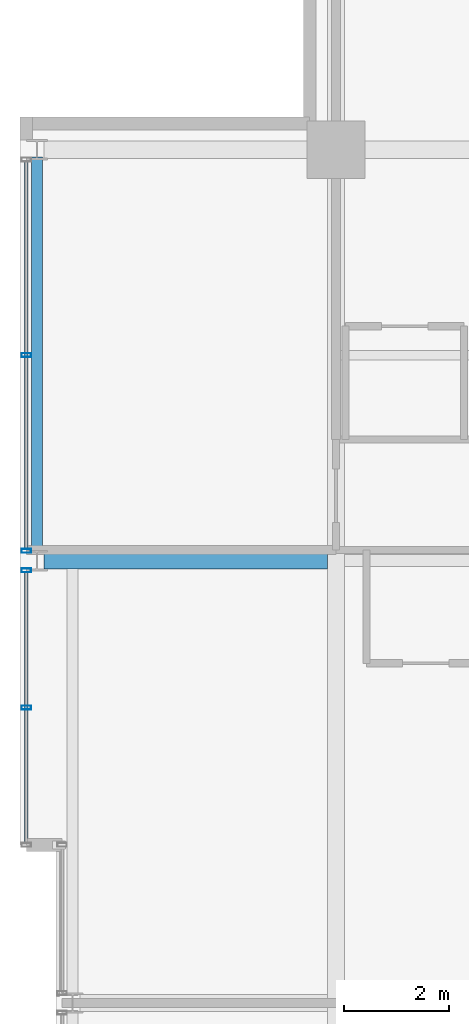
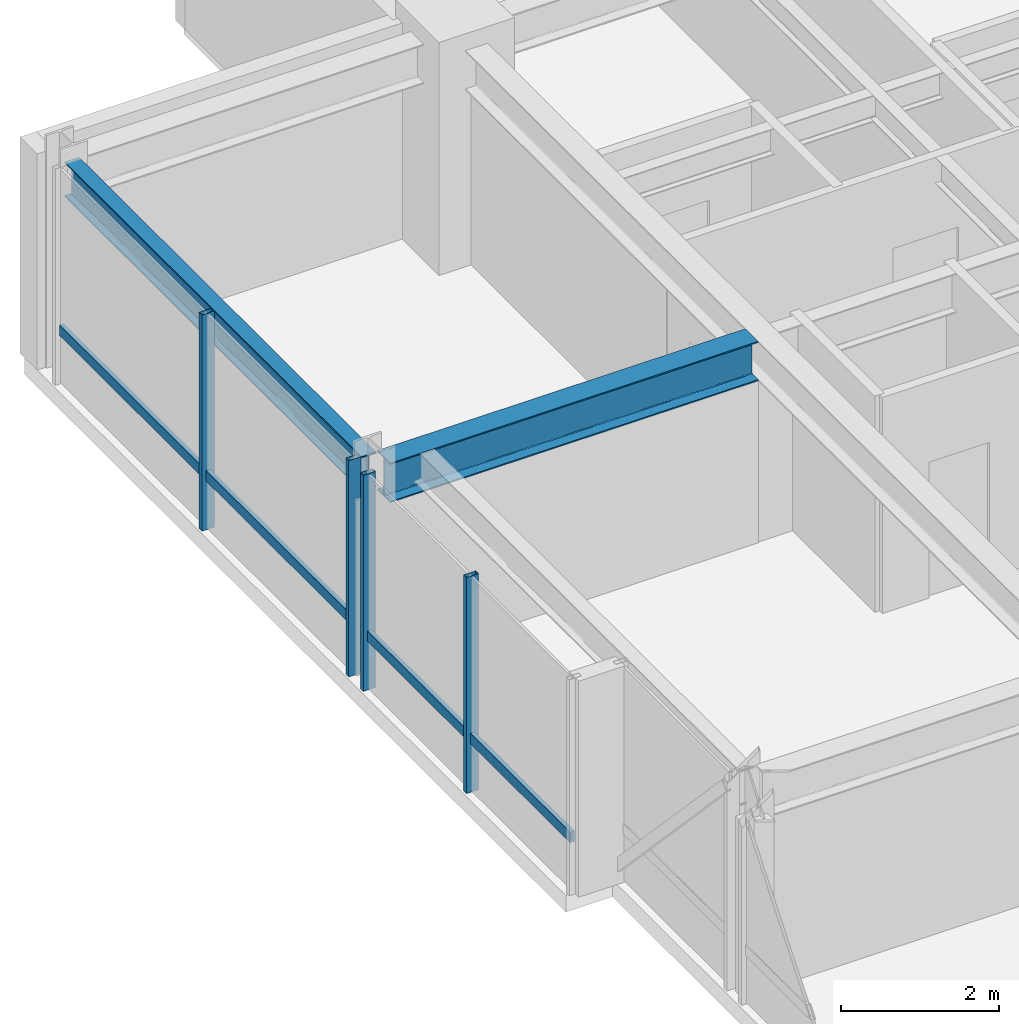
# One storey, part 17 of 33: 6 members, 2 beams, 2 elements without a shape of their own.
"""IFC4 building model written with IfcOpenShell, lengths in metres."""

import ifcopenshell
import ifcopenshell.guid

model = None  # the IFC model being written
_history = None  # IfcOwnerHistory: only IFC2X3 demands one
_inside = {}  # id of a spatial element -> (the spatial element, [elements in it])
_under = {}  # id of a project, library or spatial element -> (it, [spatial elements below it])
_declared = {}  # id of a project -> (the project, [libraries it declares])
_typed = {}  # id of a type object -> (the type object, [elements of that type])
_made_of = {}  # id of a material, layer set ... -> (it, [elements and type objects made of it])


def new_model(schema):
    """Start an empty IFC model of exactly this schema.

    Asked for "IFC4X3", IfcOpenShell would pick the latest addendum, in which some entities
    have other attributes; the version numbers below select the first issue.
    IFC2X3 requires an IfcOwnerHistory on every rooted entity: one is made here for all.
    """
    global model, _history
    if schema == "IFC4X3":
        model = ifcopenshell.file(schema_version=(4, 3, 0, 0))
    else:
        model = ifcopenshell.file(schema=schema)
    _inside.clear()
    _under.clear()
    _declared.clear()
    _typed.clear()
    _made_of.clear()
    _history = None
    if model.schema == "IFC2X3":
        org = make("IfcOrganization", Name="unknown")
        user = make(
            "IfcPersonAndOrganization",
            ThePerson=make("IfcPerson", FamilyName="unknown"),
            TheOrganization=org,
        )
        app = make(
            "IfcApplication",
            ApplicationDeveloper=org,
            Version="unknown",
            ApplicationFullName="unknown",
            ApplicationIdentifier="unknown",
        )
        _history = make(
            "IfcOwnerHistory",
            OwningUser=user,
            OwningApplication=app,
            ChangeAction="ADDED",
            CreationDate=0,
        )
    return model


def make(cls, **values):
    """One entity of the class cls with the attributes given. An attribute that is None is left unset."""
    return model.create_entity(
        cls, **{name: value for name, value in values.items() if value is not None}
    )


def rooted(cls, **values):
    """An entity with a GlobalId (a new one), such as an element, a storey or a relation."""
    return make(cls, GlobalId=ifcopenshell.guid.new(), OwnerHistory=_history, **values)


def si_unit(unit_type, name, prefix=None):
    """IfcSIUnit, for example si_unit("LENGTHUNIT", "METRE", prefix="MILLI")."""
    return make("IfcSIUnit", UnitType=unit_type, Prefix=prefix, Name=name)


def assignment(units):
    """IfcUnitAssignment: the units of a project."""
    return None if units is None else make("IfcUnitAssignment", Units=units)


def point(xyz):
    """IfcCartesianPoint."""
    return None if xyz is None else make("IfcCartesianPoint", Coordinates=xyz)


def direction(xyz):
    """IfcDirection."""
    return None if xyz is None else make("IfcDirection", DirectionRatios=xyz)


def frame(location, z_axis=None, x_axis=None):
    """IfcAxis2Placement3D, a coordinate frame: its origin and axes. An axis left out is left unset."""
    return make(
        "IfcAxis2Placement3D",
        Location=point(location),
        Axis=direction(z_axis),
        RefDirection=direction(x_axis),
    )


def frame_2d(location, x_axis=None):
    """IfcAxis2Placement2D, a coordinate frame in the plane: its origin and x axis."""
    return make(
        "IfcAxis2Placement2D", Location=point(location), RefDirection=direction(x_axis)
    )


def origin():
    """The frame at (0, 0, 0) with its axes left unset."""
    return frame((0.0, 0.0, 0.0))


def origin_2d():
    """The frame at (0, 0) in the plane with its x axis left unset."""
    return frame_2d((0.0, 0.0))


def place(relative_to, where):
    """IfcLocalPlacement: puts the frame where relative to a parent placement (None: the world)."""
    return make(
        "IfcLocalPlacement", PlacementRelTo=relative_to, RelativePlacement=where
    )


def context(
    kind, dimensions, precision=None, world=None, true_north=None, identifier=None
):
    """IfcGeometricRepresentationContext, for example the 3D "Model" context."""
    return make(
        "IfcGeometricRepresentationContext",
        ContextIdentifier=identifier,
        ContextType=kind,
        CoordinateSpaceDimension=dimensions,
        Precision=precision,
        WorldCoordinateSystem=world,
        TrueNorth=true_north,
    )


def subcontext(parent, identifier, kind, view, scale=None):
    """IfcGeometricRepresentationSubContext, for example "Body" below "Model"."""
    return make(
        "IfcGeometricRepresentationSubContext",
        ContextIdentifier=identifier,
        ContextType=kind,
        ParentContext=parent,
        TargetScale=scale,
        TargetView=view,
    )


def project(units=None, contexts=None):
    """IfcProject with its units and contexts."""
    return rooted(
        "IfcProject",
        Name="project",
        RepresentationContexts=contexts,
        UnitsInContext=assignment(units),
    )


def spatial(cls, under=None, at=None, **own):
    """A site, building, storey or space (cls), placed at a placement, below another one or the project."""
    s = rooted(cls, ObjectPlacement=at, **own)
    if under is not None:
        _under.setdefault(under.id(), (under, []))[1].append(s)
    return s


def profile(cls, at=None, kind="AREA", **sizes):
    """A parametric profile (cls). Its sizes go by their IFC names, for example OverallWidth=200.0."""
    return make(cls, ProfileType=kind, Position=at, **sizes)


def hollow_rectangle(**sizes):
    """IfcRectangleHollowProfileDef."""
    return profile("IfcRectangleHollowProfileDef", **sizes)


def i_section(**sizes):
    """IfcIShapeProfileDef."""
    return profile("IfcIShapeProfileDef", **sizes)


def extrude(swept, where, along, depth):
    """IfcExtrudedAreaSolid: the profile swept, set in the frame where, extruded along a direction by depth."""
    return make(
        "IfcExtrudedAreaSolid",
        SweptArea=swept,
        Position=where,
        ExtrudedDirection=direction(along),
        Depth=depth,
    )


def shape(context_of_items, identifier, shape_type, items):
    """IfcShapeRepresentation: the items that make up one representation, for example the "Body"."""
    return make(
        "IfcShapeRepresentation",
        ContextOfItems=context_of_items,
        RepresentationIdentifier=identifier,
        RepresentationType=shape_type,
        Items=items,
    )


def material(Name=None, Category=None):
    """IfcMaterial."""
    return make("IfcMaterial", Name=Name, Category=Category)


def layer(
    of_material, thickness, ventilated=None, Name=None, Category=None, Priority=None
):
    """IfcMaterialLayer: one layer of a wall or slab, of a material (None: an air gap)."""
    return make(
        "IfcMaterialLayer",
        Material=of_material,
        LayerThickness=thickness,
        IsVentilated=ventilated,
        Name=Name,
        Category=Category,
        Priority=Priority,
    )


def layer_set(layers, Name=None):
    """IfcMaterialLayerSet."""
    return make("IfcMaterialLayerSet", MaterialLayers=layers, LayerSetName=Name)


def material_profile(
    of_material, cross_section, Name=None, Category=None, Priority=None
):
    """IfcMaterialProfile: a cross section and its material."""
    return make(
        "IfcMaterialProfile",
        Name=Name,
        Material=of_material,
        Profile=cross_section,
        Priority=Priority,
        Category=Category,
    )


def profile_set(profiles, Name=None, composite=None):
    """IfcMaterialProfileSet."""
    return make(
        "IfcMaterialProfileSet",
        Name=Name,
        MaterialProfiles=profiles,
        CompositeProfile=composite,
    )


def made_of(thing, what):
    """Note that an element or type object is made of a material, layer set ...; save() writes the relation."""
    if what is not None:
        _made_of.setdefault(what.id(), (what, []))[1].append(thing)
    return thing


def type_object(cls, material=None, **own):
    """A type object (cls), such as IfcWallType, which elements share."""
    return made_of(rooted(cls, **own), material)


def element(
    cls,
    number,
    at=None,
    inside=None,
    cuts=None,
    type_object=None,
    material=None,
    context=None,
    identifier="Body",
    shape_type=None,
    held_by="IfcProductDefinitionShape",
    body=None,
    shapes=None,
    **own,
):
    """One element of the class cls, such as IfcWall. Its Tag is "e" and its number.

    at: its placement. inside: the storey or other place that contains it. cuts: it is an
    opening in that element (IfcRelVoidsElement). A single representation is given by context,
    identifier, shape_type and body (its items); several are given by shapes. held_by: the class
    of the entity that holds the representations. save() writes the other relations.
    """
    e = rooted(cls, Tag="e%d" % number, ObjectPlacement=at, **own)
    if body is not None:
        shapes = [shape(context, identifier, shape_type, body)]
    if shapes is not None:
        e.Representation = make(held_by, Representations=shapes)
    if inside is not None:
        _inside.setdefault(inside.id(), (inside, []))[1].append(e)
    if cuts is not None:
        rooted(
            "IfcRelVoidsElement", RelatingBuildingElement=cuts, RelatedOpeningElement=e
        )
    if type_object is not None:
        _typed.setdefault(type_object.id(), (type_object, []))[1].append(e)
    return made_of(e, material)


def aggregate(whole, parts):
    """IfcRelAggregates: a whole, such as a stair, and the parts it consists of."""
    return rooted("IfcRelAggregates", RelatingObject=whole, RelatedObjects=parts)


def save(model, path):
    """Write the relations noted so far, then the file.

    IfcRelAggregates (storeys below a building ...), IfcRelContainedInSpatialStructure (elements
    in a storey), IfcRelDefinesByType, IfcRelAssociatesMaterial and IfcRelDeclares: one each for
    every whole, place, type object, material and project.
    """
    for whole, parts in _under.values():
        aggregate(whole, parts)
    for where, things in _inside.values():
        rooted(
            "IfcRelContainedInSpatialStructure",
            RelatedElements=things,
            RelatingStructure=where,
        )
    for kind, things in _typed.values():
        rooted("IfcRelDefinesByType", RelatedObjects=things, RelatingType=kind)
    for what, things in _made_of.values():
        rooted("IfcRelAssociatesMaterial", RelatedObjects=things, RelatingMaterial=what)
    for by, libraries in _declared.values():
        rooted("IfcRelDeclares", RelatingContext=by, RelatedDefinitions=libraries)
    model.write(path)


model = new_model("IFC4")

# Units and contexts
model_context = context("Model", 3, precision=1e-05, world=origin(), true_north=direction((0.0, 1.0)))
body_context = subcontext(model_context, "Body", "Model", "MODEL_VIEW")
ifc_project = project(units=[si_unit("LENGTHUNIT", "METRE"), si_unit("AREAUNIT", "SQUARE_METRE"), si_unit("VOLUMEUNIT", "CUBIC_METRE"), si_unit("PLANEANGLEUNIT", "RADIAN"), si_unit("MASSUNIT", "GRAM", prefix="KILO")], contexts=[model_context])

# Site, building, storey
site_placement = place(None, origin())
site = spatial("IfcSite", under=ifc_project, at=site_placement, CompositionType="ELEMENT")
building_placement = place(site_placement, origin())
building = spatial("IfcBuilding", under=site, at=building_placement, Name="Drelvath Grand Hotel", CompositionType="ELEMENT")
storey_placement = place(building_placement, frame((0.0, 0.0, 212.300048828125)))
storey = spatial("IfcBuildingStorey", under=building, at=storey_placement, Name="L55", CompositionType="ELEMENT", Elevation=212.300048828125)

# Curtain wall, member
ifc_material_1 = material(Name="Platinum-Mist Anodised Aluminium Frame", Category="aluminium")
ifc_layer = layer(ifc_material_1, 0.199951171875)
ifc_layer_set = layer_set([ifc_layer], Name="Platinum-Mist Anodised Aluminium Frame")
curtain_wall_type = type_object("IfcCurtainWallType", Name="Stick Curtain Wall CW-05 Platinum Mist High-Rise", PredefinedType="NOTDEFINED", material=ifc_layer_set)
curtain_wall_1_placement = place(storey_placement, origin())
curtain_wall_1 = element("IfcCurtainWall", 1, at=curtain_wall_1_placement, inside=storey, type_object=curtain_wall_type, Name="L55 CW-05 Curtain Wall CW05-L55-WN1", PredefinedType="NOTDEFINED")
ifc_material_profile_1 = material_profile(ifc_material_1, hollow_rectangle(XDim=0.06494140625, YDim=0.159912109375, WallThickness=0.00390625, at=origin_2d()), Name="HSS160X65X4")
ifc_profile_set_1 = profile_set([ifc_material_profile_1], Name="Platinum-Mist Anodised Aluminium Frame")
member_type_1 = type_object("IfcMemberType", Name="Curtain Wall Horizontal Transom CW-05 HSS160X65X4", PredefinedType="USERDEFINED", material=ifc_profile_set_1)
member_1_placement = place(storey_placement, frame((-22.080078125, 30.0400390625, 0.8349609375), z_axis=(0.0, 1.0, 0.0), x_axis=(-1.0, 0.0, 0.0)))
member_1 = element("IfcMember", 2, at=member_1_placement, type_object=member_type_1, Name="CW05-L55-WN1 Sill Transom", ObjectType="TRANSOM", PredefinedType="USERDEFINED", context=body_context, shape_type="SweptSolid", body=[
    extrude(hollow_rectangle(XDim=0.06494140625, YDim=0.159912109375, WallThickness=0.00390625, at=origin_2d()), origin(), (0.0, 0.0, 1.0), 5.134765625),
])

curtain_wall_2_placement = place(storey_placement, origin())
curtain_wall_2 = element("IfcCurtainWall", 3, at=curtain_wall_2_placement, inside=storey, type_object=curtain_wall_type, Name="L55 CW-05 Curtain Wall CW05-L55-WN2", PredefinedType="NOTDEFINED")
member_2_placement = place(storey_placement, frame((-22.080078125, 35.625244140625, 0.8349609375), z_axis=(0.0, 1.0, 0.0), x_axis=(-1.0, 0.0, 0.0)))
member_2 = element("IfcMember", 4, at=member_2_placement, type_object=member_type_1, Name="CW05-L55-WN2 Sill Transom", ObjectType="TRANSOM", PredefinedType="USERDEFINED", context=body_context, shape_type="SweptSolid", body=[
    extrude(hollow_rectangle(XDim=0.06494140625, YDim=0.159912109375, WallThickness=0.00390625, at=origin_2d()), origin(), (0.0, 0.0, 1.0), 7.349365234375),
])

# Member
ifc_material_profile_2 = material_profile(ifc_material_1, hollow_rectangle(XDim=0.074951171875, YDim=0.179931640625, WallThickness=0.0048828125, at=origin_2d()), Name="HSS180X75X5")
ifc_profile_set_2 = profile_set([ifc_material_profile_2], Name="Platinum-Mist Anodised Aluminium Frame")
member_type_2 = type_object("IfcMemberType", Name="Curtain Wall Vertical Mullion CW-05 HSS180X75X5", PredefinedType="MULLION", material=ifc_profile_set_2)
member_3_placement = place(storey_placement, frame((-22.080078125, 32.607421875, 0.0), z_axis=(0.0, 0.0, 1.0), x_axis=(0.0, 1.0, 0.0)))
member_3 = element("IfcMember", 5, at=member_3_placement, type_object=member_type_2, Name="CW05-L55-WN1 Mullion 2", PredefinedType="MULLION", context=body_context, shape_type="SweptSolid", body=[
    extrude(hollow_rectangle(XDim=0.074951171875, YDim=0.179931640625, WallThickness=0.0048828125, at=origin_2d()), origin(), (0.0, 0.0, 1.0), 3.33984375),
])

member_4_placement = place(storey_placement, frame((-22.080078125, 35.214599609375, 0.0), z_axis=(0.0, 0.0, 1.0), x_axis=(0.0, 1.0, 0.0)))
member_4 = element("IfcMember", 6, at=member_4_placement, type_object=member_type_2, Name="CW05-L55-WN1 Mullion 3", PredefinedType="MULLION", context=body_context, shape_type="SweptSolid", body=[
    extrude(hollow_rectangle(XDim=0.074951171875, YDim=0.179931640625, WallThickness=0.0048828125, at=origin_2d()), origin(), (0.0, 0.0, 1.0), 3.33984375),
])

aggregate(curtain_wall_1, [member_3, member_4, member_1])

member_5_placement = place(storey_placement, frame((-22.080078125, 35.585205078125, 0.0), z_axis=(0.0, 0.0, 1.0), x_axis=(0.0, 1.0, 0.0)))
member_5 = element("IfcMember", 7, at=member_5_placement, type_object=member_type_2, Name="CW05-L55-WN2 Mullion 1", PredefinedType="MULLION", context=body_context, shape_type="SweptSolid", body=[
    extrude(hollow_rectangle(XDim=0.074951171875, YDim=0.179931640625, WallThickness=0.0048828125, at=origin_2d()), origin(), (0.0, 0.0, 1.0), 3.33984375),
])

member_6_placement = place(storey_placement, frame((-22.080078125, 39.300048828125, 0.0), z_axis=(0.0, 0.0, 1.0), x_axis=(0.0, 1.0, 0.0)))
member_6 = element("IfcMember", 8, at=member_6_placement, type_object=member_type_2, Name="CW05-L55-WN2 Mullion 2", PredefinedType="MULLION", context=body_context, shape_type="SweptSolid", body=[
    extrude(hollow_rectangle(XDim=0.074951171875, YDim=0.179931640625, WallThickness=0.0048828125, at=origin_2d()), origin(), (0.0, 0.0, 1.0), 3.33984375),
])

aggregate(curtain_wall_2, [member_5, member_6, member_2])

# Beams
ifc_material_2 = material(Name="Steel ASTM A992 Gr 50", Category="steel")
ifc_material_profile_3 = material_profile(ifc_material_2, i_section(OverallWidth=0.210205078125, OverallDepth=0.53662109375, WebThickness=0.010986328125, FlangeThickness=0.017333984375, FilletRadius=0.01806640625, at=origin_2d()), Name="W21X68")
ifc_profile_set_3 = profile_set([ifc_material_profile_3], Name="Steel ASTM A992 Gr 50")
beam_type_1 = type_object("IfcBeamType", Name="Perimeter Spandrel Beam W21X68", PredefinedType="SPANDREL", material=ifc_profile_set_3)
beam_1_placement = place(storey_placement, frame((-21.8798828125, 35.5400390625, 3.071533203125), z_axis=(0.0, 1.0, 0.0), x_axis=(-1.0, 0.0, 0.0)))
element("IfcBeam", 9, at=beam_1_placement, inside=storey, type_object=beam_type_1, Name="L55 Spandrel West N", PredefinedType="SPANDREL", context=body_context, shape_type="SweptSolid", body=[
    extrude(i_section(OverallWidth=0.210205078125, OverallDepth=0.53662109375, WebThickness=0.010986328125, FlangeThickness=0.017333984375, FilletRadius=0.01806640625, at=origin_2d()), origin(), (0.0, 0.0, 1.0), 7.52001953125),
])
ifc_material_profile_4 = material_profile(ifc_material_2, i_section(OverallWidth=0.323974609375, OverallDepth=0.611083984375, WebThickness=0.0126953125, FlangeThickness=0.01904296875, FilletRadius=0.02197265625, at=origin_2d()), Name="W24X104")
ifc_profile_set_4 = profile_set([ifc_material_profile_4], Name="Steel ASTM A992 Gr 50")
beam_type_2 = type_object("IfcBeamType", Name="Primary Floor Girder W24X104", PredefinedType="BEAM", material=ifc_profile_set_4)
beam_2_placement = place(storey_placement, frame((-21.739990234375, 35.39990234375, 3.034423828125), z_axis=(1.0, 0.0, 0.0), x_axis=(0.0, 1.0, 0.0)))
element("IfcBeam", 10, at=beam_2_placement, inside=storey, type_object=beam_type_2, Name="L55 West Wing Girder F", PredefinedType="BEAM", context=body_context, shape_type="SweptSolid", body=[
    extrude(i_section(OverallWidth=0.323974609375, OverallDepth=0.611083984375, WebThickness=0.0126953125, FlangeThickness=0.01904296875, FilletRadius=0.02197265625, at=origin_2d()), origin(), (0.0, 0.0, 1.0), 5.3779296875),
])

save(model, "model.ifc")
